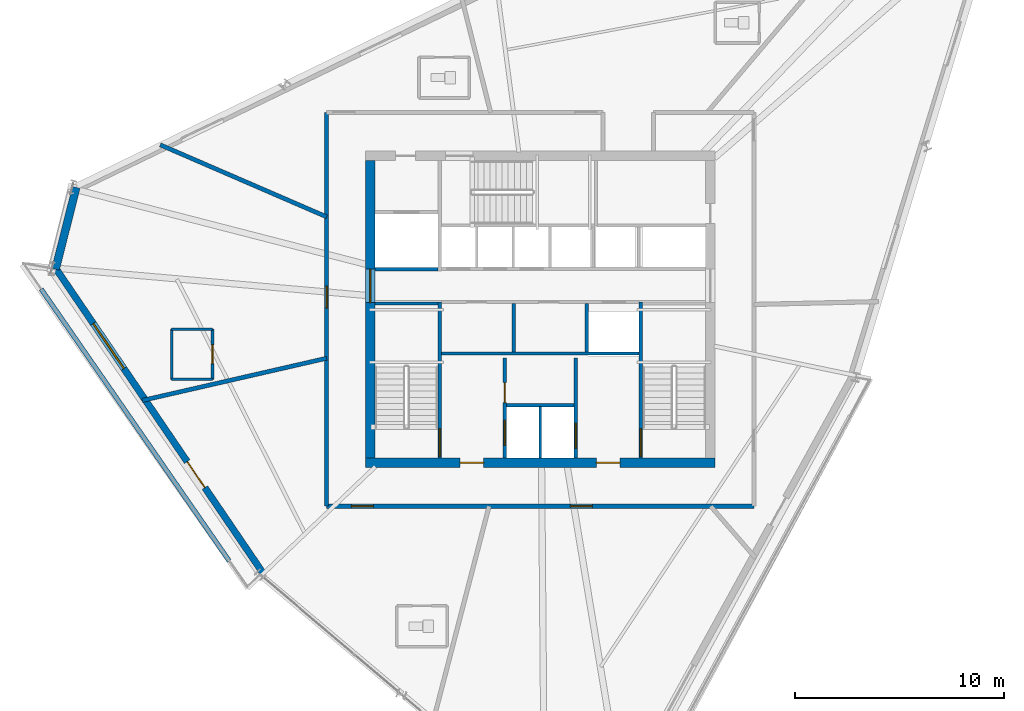
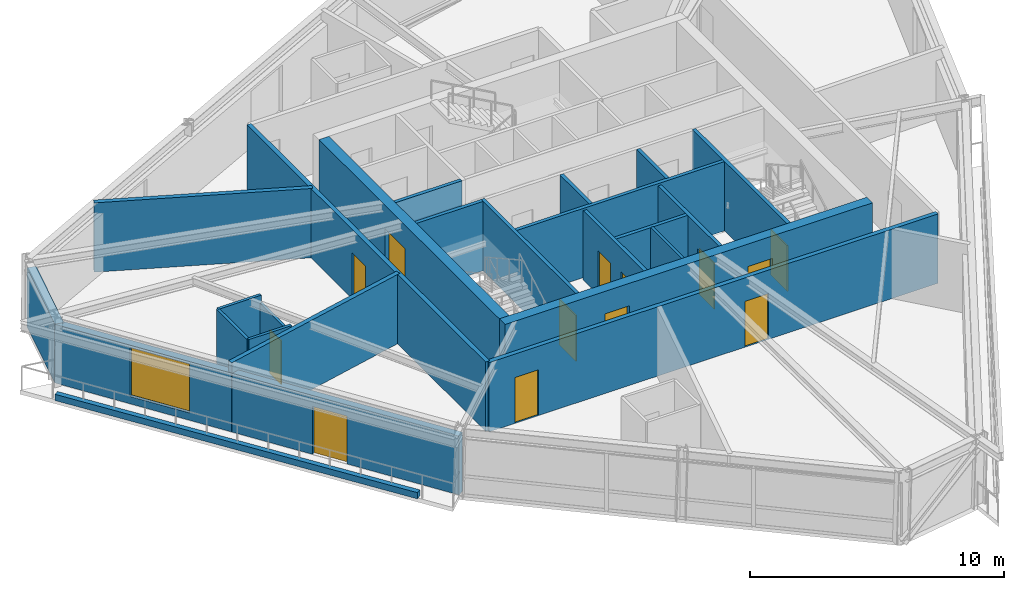
# One storey, part 8 of 15: 24 walls, 13 doors, 1 window, 14 openings.
"""IFC4 building model written with IfcOpenShell, lengths in metres."""

from ifc_helpers import new_model, si_unit, direction, frame, frame_2d, origin, place, context, subcontext, project, spatial, rectangle, extrude, source, transform, mapped, material, layer, layer_set, type_object, type_shapes, element, fill, save


model = new_model("IFC4")

# Units and contexts
model_context = context("Model", 3, precision=1e-05, world=origin(), true_north=direction((0.0, 1.0)))
body_context = subcontext(model_context, "Body", "Model", "MODEL_VIEW")
ifc_project = project(units=[si_unit("LENGTHUNIT", "METRE"), si_unit("AREAUNIT", "SQUARE_METRE"), si_unit("VOLUMEUNIT", "CUBIC_METRE"), si_unit("PLANEANGLEUNIT", "RADIAN"), si_unit("MASSUNIT", "GRAM", prefix="KILO")], contexts=[model_context])

# Site, building, storey
site_placement = place(None, origin())
site = spatial("IfcSite", under=ifc_project, at=site_placement, CompositionType="ELEMENT")
building_placement = place(site_placement, origin())
building = spatial("IfcBuilding", under=site, at=building_placement, Name="Olszyna Solenne Hotel", CompositionType="ELEMENT")
storey_placement = place(building_placement, frame((0.0, 0.0, 213.14990234375)))
storey = spatial("IfcBuildingStorey", under=building, at=storey_placement, Name="L56", CompositionType="ELEMENT", Elevation=213.14990234375)

# Wall, openings, doors
ifc_material_1 = material(Name="Concrete C50/60", Category="concrete")
ifc_layer_1 = layer(ifc_material_1, 0.449951171875, Name="Concrete C50/60")
ifc_layer_set_1 = layer_set([ifc_layer_1], Name="Concrete C50/60")
wall_type_1 = type_object("IfcWallType", Name="WL-CR450", PredefinedType="SHEAR", material=ifc_layer_set_1)
wall_1_placement = place(storey_placement, frame((46.35009765625, 19.27490234375, 0.0), z_axis=(0.0, 0.0, 1.0), x_axis=(-1.0, 0.0, 0.0)))
wall_1 = element("IfcWall", 1, at=wall_1_placement, inside=storey, type_object=wall_type_1, Name="Core shear wall WL-CR450 CRW-L56-S", PredefinedType="SHEAR", context=body_context, shape_type="SweptSolid", body=[
    extrude(rectangle(XDim=16.7001953125, YDim=0.449951171875, at=frame_2d((8.35009765625, 0.0))), origin(), (0.0, 0.0, 1.0), 3.330078125),
])
opening_1_placement = place(wall_1_placement, frame((4.550048828125, 0.0, 0.0)))
opening_1 = element("IfcOpeningElement", 2, at=opening_1_placement, cuts=wall_1, Name="Opening FL-L56-1", PredefinedType="OPENING", context=body_context, shape_type="SweptSolid", body=[
    extrude(rectangle(XDim=1.1201171875, YDim=2.25, at=frame_2d((0.56005859375, 1.125))), frame((0.0, 0.23486328125, 0.0), z_axis=(0.0, -1.0, 0.0), x_axis=(1.0, 0.0, 0.0)), (0.0, 0.0, 1.0), 0.469970703125),
])
opening_2_placement = place(wall_1_placement, frame((11.050048828125, 0.0, 0.0)))
opening_2 = element("IfcOpeningElement", 3, at=opening_2_placement, cuts=wall_1, Name="Opening FL-L56-2", PredefinedType="OPENING", context=body_context, shape_type="SweptSolid", body=[
    extrude(rectangle(XDim=1.1201171875, YDim=2.25, at=frame_2d((0.56005859375, 1.125))), frame((0.0, 0.23486328125, 0.0), z_axis=(0.0, -1.0, 0.0), x_axis=(1.0, 0.0, 0.0)), (0.0, 0.0, 1.0), 0.469970703125),
])
ifc_material_2 = material(Name="Steel S355J2", Category="steel")
door_type_1 = type_object("IfcDoorType", Name="DR-FL1", OperationType="NOTDEFINED", PredefinedType="DOOR", material=ifc_material_2)
shared_shape_1 = source(origin(), body_context, "Body", "SweptSolid", [
    extrude(rectangle(XDim=1.1201171875, YDim=2.25, at=frame_2d((0.56005859375, 1.125))), frame((0.0, 0.02490234375, 0.0), z_axis=(0.0, -1.0, 0.0), x_axis=(1.0, 0.0, 0.0)), (0.0, 0.0, 1.0), 0.050048828125),
])
type_shapes(door_type_1, [shared_shape_1])
door_1_placement = place(opening_1_placement, origin())
door_1 = element("IfcDoor", 4, at=door_1_placement, inside=storey, type_object=door_type_1, Name="Firefighting lift lobby smoke door FL-L56-1", OperationType="SINGLE_SWING_LEFT", OverallHeight=2.25, OverallWidth=1.1201171875, PredefinedType="DOOR", context=body_context, shape_type="MappedRepresentation", body=[
    mapped(shared_shape_1, transform((0.0, 0.0, 0.0), x_axis=(1.0, 0.0, 0.0), y_axis=(0.0, 1.0, 0.0), z_axis=(0.0, 0.0, 1.0), scale=1.0)),
])
fill(opening_1, door_1)
door_2_placement = place(opening_2_placement, origin())
door_2 = element("IfcDoor", 5, at=door_2_placement, inside=storey, type_object=door_type_1, Name="Firefighting lift lobby smoke door FL-L56-2", OperationType="SINGLE_SWING_RIGHT", OverallHeight=2.25, OverallWidth=1.1201171875, PredefinedType="DOOR", context=body_context, shape_type="MappedRepresentation", body=[
    mapped(shared_shape_1, transform((0.0, 0.0, 0.0), x_axis=(1.0, 0.0, 0.0), y_axis=(0.0, 1.0, 0.0), z_axis=(0.0, 0.0, 1.0), scale=1.0)),
])
fill(opening_2, door_2)

# Wall, opening, door
wall_2_placement = place(storey_placement, frame((29.875, 19.5, 0.0), z_axis=(0.0, 0.0, 1.0), x_axis=(0.0, 1.0, 0.0)))
wall_2 = element("IfcWall", 6, at=wall_2_placement, inside=storey, type_object=wall_type_1, Name="Core shear wall WL-CR450 CRW-L56-W", PredefinedType="SHEAR", context=body_context, shape_type="SweptSolid", body=[
    extrude(rectangle(XDim=14.199951171875, YDim=0.449951171875, at=frame_2d((7.10009765625, 0.0))), origin(), (0.0, 0.0, 1.0), 3.330078125),
])
opening_3_placement = place(wall_2_placement, frame((7.419921875, 0.0, 0.0)))
opening_3 = element("IfcOpeningElement", 7, at=opening_3_placement, cuts=wall_2, Name="Opening LHD-L56-W", PredefinedType="OPENING", context=body_context, shape_type="SweptSolid", body=[
    extrude(rectangle(XDim=1.60009765625, YDim=2.199951171875, at=frame_2d((0.800048828125, 1.10009765625))), frame((0.0, 0.23486328125, 0.0), z_axis=(0.0, -1.0, 0.0), x_axis=(1.0, 0.0, 0.0)), (0.0, 0.0, 1.0), 0.469970703125),
])
ifc_material_3 = material(Name="Timber hardwood", Category="wood")
door_type_2 = type_object("IfcDoorType", Name="DR-CR1", OperationType="DOUBLE_DOOR_SINGLE_SWING", PredefinedType="DOOR", material=ifc_material_3)
shared_shape_2 = source(origin(), body_context, "Body", "SweptSolid", [
    extrude(rectangle(XDim=1.60009765625, YDim=2.199951171875, at=frame_2d((0.800048828125, 1.10009765625))), frame((0.0, 0.02490234375, 0.0), z_axis=(0.0, -1.0, 0.0), x_axis=(1.0, 0.0, 0.0)), (0.0, 0.0, 1.0), 0.050048828125),
])
type_shapes(door_type_2, [shared_shape_2])
door_3_placement = place(opening_3_placement, origin())
door_3 = element("IfcDoor", 8, at=door_3_placement, inside=storey, type_object=door_type_2, Name="Passenger lift lobby West fire door LHD-L56-W", OperationType="DOUBLE_DOOR_SINGLE_SWING", OverallHeight=2.199951171875, OverallWidth=1.60009765625, PredefinedType="DOOR", context=body_context, shape_type="MappedRepresentation", body=[
    mapped(shared_shape_2, transform((0.0, 0.0, 0.0), x_axis=(1.0, 0.0, 0.0), y_axis=(0.0, 1.0, 0.0), z_axis=(0.0, 0.0, 1.0), scale=1.0)),
])
fill(opening_3, door_3)

# Wall, openings, door, window
ifc_material_4 = material(Name="Precast concrete C45/55", Category="concrete")
ifc_layer_2 = layer(ifc_material_4, 0.320068359375, Name="Precast concrete C45/55")
ifc_layer_set_2 = layer_set([ifc_layer_2], Name="Precast concrete C45/55")
wall_type_2 = type_object("IfcWallType", Name="WL-EX320", PredefinedType="SOLIDWALL", material=ifc_layer_set_2)
wall_3_placement = place(storey_placement, frame((24.7470703125, 14.029541015625, 0.0), z_axis=(0.0, 0.0, 1.0), x_axis=(-0.562309643667, 0.826926758933, 0.0)))
wall_3 = element("IfcWall", 9, at=wall_3_placement, inside=storey, type_object=wall_type_2, Name="Exterior terracotta-precast frame wall WL-EX320 EW-L56-04", PredefinedType="SOLIDWALL", context=body_context, shape_type="SweptSolid", body=[
    extrude(rectangle(XDim=17.67822265625, YDim=0.320068359375, at=frame_2d((8.839111328125, 0.0))), origin(), (0.0, 0.0, 1.0), 2.822021484375),
])
opening_4_placement = place(wall_3_placement, frame((4.906982421875, 0.0, 0.0)))
opening_4 = element("IfcOpeningElement", 10, at=opening_4_placement, cuts=wall_3, Name="Opening LDG-L56-2", PredefinedType="OPENING", context=body_context, shape_type="SweptSolid", body=[
    extrude(rectangle(XDim=1.5, YDim=2.300048828125, at=frame_2d((0.75, 1.14990234375))), frame((0.0, 0.169921875, 0.0), z_axis=(0.0, -1.0, 0.0), x_axis=(1.0, 0.0, 0.0)), (0.0, 0.0, 1.0), 0.340087890625),
])
opening_5_placement = place(wall_3_placement, frame((11.781982421875, 0.0, 0.35205078125)))
opening_5 = element("IfcOpeningElement", 11, at=opening_5_placement, cuts=wall_3, Name="Opening WN-L56-358", PredefinedType="OPENING", context=body_context, shape_type="SweptSolid", body=[
    extrude(rectangle(XDim=2.60009765625, YDim=2.35009765625, at=frame_2d((1.300048828125, 1.175048828125))), frame((0.0, 0.169921875, 0.0), z_axis=(0.0, -1.0, 0.0), x_axis=(1.0, 0.0, 0.0)), (0.0, 0.0, 1.0), 0.340087890625),
])
ifc_material_5 = material(Name="Anodised bronze aluminium", Category="aluminium")
door_type_3 = type_object("IfcDoorType", Name="DR-LG2", OperationType="DOUBLE_DOOR_SINGLE_SWING", PredefinedType="DOOR", material=ifc_material_5)
shared_shape_3 = source(origin(), body_context, "Body", "SweptSolid", [
    extrude(rectangle(XDim=1.5, YDim=2.300048828125, at=frame_2d((0.75, 1.14990234375))), frame((0.0, 0.02490234375, 0.0), z_axis=(0.0, -1.0, 0.0), x_axis=(1.0, 0.0, 0.0)), (0.0, 0.0, 1.0), 0.050048828125),
])
type_shapes(door_type_3, [shared_shape_3])
door_4_placement = place(opening_4_placement, origin())
door_4 = element("IfcDoor", 12, at=door_4_placement, inside=storey, type_object=door_type_3, Name="Exterior loggia balcony door DR-LG2 LDG-L56-2", OperationType="DOUBLE_DOOR_SINGLE_SWING", OverallHeight=2.300048828125, OverallWidth=1.5, PredefinedType="DOOR", context=body_context, shape_type="MappedRepresentation", body=[
    mapped(shared_shape_3, transform((0.0, 0.0, 0.0), x_axis=(1.0, 0.0, 0.0), y_axis=(0.0, 1.0, 0.0), z_axis=(0.0, 0.0, 1.0), scale=1.0)),
])
fill(opening_4, door_4)
ifc_material_6 = material(Name="Low-E triple glazing", Category="glass")
window_type = type_object("IfcWindowType", Name="WN-ST1", PartitioningType="SINGLE_PANEL", PredefinedType="WINDOW", material=ifc_material_6)
shared_shape_4 = source(origin(), body_context, "Body", "SweptSolid", [
    extrude(rectangle(XDim=2.60009765625, YDim=2.35009765625, at=frame_2d((1.300048828125, 1.175048828125))), frame((0.0, 0.030029296875, 0.0), z_axis=(0.0, -1.0, 0.0), x_axis=(1.0, 0.0, 0.0)), (0.0, 0.0, 1.0), 0.06005859375),
])
type_shapes(window_type, [shared_shape_4])
window_placement = place(opening_5_placement, origin())
window = element("IfcWindow", 13, at=window_placement, inside=storey, type_object=window_type, Name="Loggia room window WN-ST1 WN-L56-358", OverallHeight=2.35009765625, OverallWidth=2.60009765625, PartitioningType="SINGLE_PANEL", PredefinedType="WINDOW", context=body_context, shape_type="MappedRepresentation", body=[
    mapped(shared_shape_4, transform((0.0, 0.0, 0.0), x_axis=(1.0, 0.0, 0.0), y_axis=(0.0, 1.0, 0.0), z_axis=(0.0, 0.0, 1.0), scale=1.0)),
])
fill(opening_5, window)

# Walls
ifc_material_7 = material(Name="Terracotta cladding on precast concrete C45/55", Category="masonry")
ifc_layer_3 = layer(ifc_material_7, 0.3798828125, Name="Terracotta cladding on precast concrete C45/55")
ifc_layer_set_3 = layer_set([ifc_layer_3], Name="Terracotta cladding on precast concrete C45/55")
wall_type_3 = type_object("IfcWallType", Name="WL-EX380", PredefinedType="SOLIDWALL", material=ifc_layer_set_3)
wall_4_placement = place(storey_placement, frame((14.8583984375, 28.511474609375, 0.0), z_axis=(0.0, 0.0, 1.0), x_axis=(0.245228727872, 0.969465250035, 0.0)))
element("IfcWall", 14, at=wall_4_placement, inside=storey, type_object=wall_type_3, Name="Exterior terracotta-precast frame wall WL-EX380 EW-L56-05", PredefinedType="SOLIDWALL", context=body_context, shape_type="SweptSolid", body=[
    extrude(rectangle(XDim=4.030029296875, YDim=0.3798828125, at=frame_2d((2.01513671875, 0.0))), origin(), (0.0, 0.0, 1.0), 2.822021484375),
])
ifc_layer_4 = layer(ifc_material_4, 0.219970703125, Name="Precast concrete C45/55")
ifc_layer_set_4 = layer_set([ifc_layer_4], Name="Precast concrete C45/55")
wall_type_4 = type_object("IfcWallType", Name="WL-PR220", PredefinedType="PARAPET", material=ifc_layer_set_4)
wall_5_placement = place(storey_placement, frame((14.171630859375, 27.5673828125, 0.0), z_axis=(0.0, 0.0, 1.0), x_axis=(0.568898540909, -0.822407715279, 0.0)))
element("IfcWall", 15, at=wall_5_placement, inside=storey, type_object=wall_type_4, Name="Loggia balcony precast kerb PR-L56-LG2", PredefinedType="PARAPET", context=body_context, shape_type="SweptSolid", body=[
    extrude(rectangle(XDim=15.777587890625, YDim=0.219970703125, at=frame_2d((7.888671875, 0.0))), origin(), (0.0, 0.0, 1.0), 0.300048828125),
])
ifc_material_8 = material(Name="Acoustic gypsum partition", Category="gypsum")
ifc_layer_5 = layer(ifc_material_8, 0.125, Name="Acoustic gypsum partition")
ifc_layer_set_5 = layer_set([ifc_layer_5], Name="Acoustic gypsum partition")
wall_type_5 = type_object("IfcWallType", Name="WL-PT125", PredefinedType="PARTITIONING", material=ifc_layer_set_5)
wall_6_placement = place(storey_placement, frame((38.0, 19.5, 0.0), z_axis=(0.0, 0.0, 1.0), x_axis=(0.0, 1.0, 0.0)))
element("IfcWall", 16, at=wall_6_placement, inside=storey, type_object=wall_type_5, Name="Core shaft compartment wall CW-L56-FFM", PredefinedType="PARTITIONING", context=body_context, shape_type="SweptSolid", body=[
    extrude(rectangle(XDim=2.4599609375, YDim=0.125, at=frame_2d((1.22998046875, 0.0))), origin(), (0.0, 0.0, 1.0), 3.330078125),
])

# Wall, opening, door
wall_7_placement = place(storey_placement, frame((22.35302734375, 23.2529296875, 0.0), z_axis=(0.0, 0.0, 1.0), x_axis=(0.0, 1.0, 0.0)))
wall_7 = element("IfcWall", 17, at=wall_7_placement, inside=storey, type_object=wall_type_5, Name="Interior acoustic partition WL-PT125 PW-L56-3133", PredefinedType="PARTITIONING", context=body_context, shape_type="SweptSolid", body=[
    extrude(rectangle(XDim=2.400146484375, YDim=0.125, at=frame_2d((1.2001953125, 0.0))), origin(), (0.0, 0.0, 1.0), 2.955078125),
])
opening_6_placement = place(wall_7_placement, frame((0.75, 0.0, 0.0)))
opening_6 = element("IfcOpeningElement", 18, at=opening_6_placement, cuts=wall_7, Name="Opening DR-L56-0759", PredefinedType="OPENING", context=body_context, shape_type="SweptSolid", body=[
    extrude(rectangle(XDim=0.89990234375, YDim=2.10009765625, at=frame_2d((0.449951171875, 1.050048828125))), frame((0.0, 0.072509765625, 0.0), z_axis=(0.0, -1.0, 0.0), x_axis=(1.0, 0.0, 0.0)), (0.0, 0.0, 1.0), 0.14501953125),
])
door_type_4 = type_object("IfcDoorType", Name="DR-WC1", OperationType="NOTDEFINED", PredefinedType="DOOR", material=ifc_material_3)
shared_shape_5 = source(origin(), body_context, "Body", "SweptSolid", [
    extrude(rectangle(XDim=0.89990234375, YDim=2.10009765625, at=frame_2d((0.449951171875, 1.050048828125))), frame((0.0, 0.02490234375, 0.0), z_axis=(0.0, -1.0, 0.0), x_axis=(1.0, 0.0, 0.0)), (0.0, 0.0, 1.0), 0.050048828125),
])
type_shapes(door_type_4, [shared_shape_5])
door_5_placement = place(opening_6_placement, origin())
door_5 = element("IfcDoor", 19, at=door_5_placement, inside=storey, type_object=door_type_4, Name="En-Suite Bathroom Door DR-L56-0759", OperationType="SINGLE_SWING_LEFT", OverallHeight=2.10009765625, OverallWidth=0.89990234375, PredefinedType="DOOR", context=body_context, shape_type="MappedRepresentation", body=[
    mapped(shared_shape_5, transform((0.0, 0.0, 0.0), x_axis=(1.0, 0.0, 0.0), y_axis=(0.0, 1.0, 0.0), z_axis=(0.0, 0.0, 1.0), scale=1.0)),
])
fill(opening_6, door_5)

# Walls
wall_8_placement = place(storey_placement, frame((22.35302734375, 25.653076171875, 0.0), z_axis=(0.0, 0.0, 1.0), x_axis=(-1.0, 0.0, 0.0)))
element("IfcWall", 20, at=wall_8_placement, inside=storey, type_object=wall_type_5, Name="Interior acoustic partition WL-PT125 PW-L56-3134", PredefinedType="PARTITIONING", context=body_context, shape_type="SweptSolid", body=[
    extrude(rectangle(XDim=1.949951171875, YDim=0.125, at=frame_2d((0.97509765625, 0.0))), origin(), (0.0, 0.0, 1.0), 3.330078125),
])
wall_9_placement = place(storey_placement, frame((20.403076171875, 25.653076171875, 0.0), z_axis=(0.0, 0.0, 1.0), x_axis=(0.0, -1.0, 0.0)))
element("IfcWall", 21, at=wall_9_placement, inside=storey, type_object=wall_type_5, Name="Interior acoustic partition WL-PT125 PW-L56-3135", PredefinedType="PARTITIONING", context=body_context, shape_type="SweptSolid", body=[
    extrude(rectangle(XDim=2.400146484375, YDim=0.125, at=frame_2d((1.2001953125, 0.0))), origin(), (0.0, 0.0, 1.0), 3.330078125),
])
wall_10_placement = place(storey_placement, frame((20.403076171875, 23.2529296875, 0.0), z_axis=(0.0, 0.0, 1.0), x_axis=(1.0, 0.0, 0.0)))
element("IfcWall", 22, at=wall_10_placement, inside=storey, type_object=wall_type_5, Name="Interior acoustic partition WL-PT125 PW-L56-3136", PredefinedType="PARTITIONING", context=body_context, shape_type="SweptSolid", body=[
    extrude(rectangle(XDim=1.949951171875, YDim=0.125, at=frame_2d((0.97509765625, 0.0))), origin(), (0.0, 0.0, 1.0), 3.330078125),
])

# Wall, opening, door
ifc_layer_6 = layer(ifc_material_8, 0.159912109375, Name="Acoustic gypsum partition")
ifc_layer_set_6 = layer_set([ifc_layer_6], Name="Acoustic gypsum partition")
wall_type_6 = type_object("IfcWallType", Name="WL-PT160", PredefinedType="PARTITIONING", material=ifc_layer_set_6)
wall_11_placement = place(storey_placement, frame((33.199951171875, 19.5, 0.0), z_axis=(0.0, 0.0, 1.0), x_axis=(0.0, 1.0, 0.0)))
wall_11 = element("IfcWall", 23, at=wall_11_placement, inside=storey, type_object=wall_type_6, Name="Core shaft compartment wall CW-L56-ST1E", PredefinedType="PARTITIONING", context=body_context, shape_type="SweptSolid", body=[
    extrude(rectangle(XDim=7.4599609375, YDim=0.159912109375, at=frame_2d((3.72998046875, 0.0))), origin(), (0.0, 0.0, 1.0), 3.330078125),
])
opening_7_placement = place(wall_11_placement, frame((0.080078125, 0.0, 0.0)))
opening_7 = element("IfcOpeningElement", 24, at=opening_7_placement, cuts=wall_11, Name="Opening STD-L56-01", PredefinedType="OPENING", context=body_context, shape_type="SweptSolid", body=[
    extrude(rectangle(XDim=1.320068359375, YDim=2.199951171875, at=frame_2d((0.66015625, 1.10009765625))), frame((0.0, 0.08984375, 0.0), z_axis=(0.0, -1.0, 0.0), x_axis=(1.0, 0.0, 0.0)), (0.0, 0.0, 1.0), 0.179931640625),
])
door_type_5 = type_object("IfcDoorType", Name="DR-ST1", OperationType="NOTDEFINED", PredefinedType="DOOR", material=ifc_material_2)
shared_shape_6 = source(origin(), body_context, "Body", "SweptSolid", [
    extrude(rectangle(XDim=1.320068359375, YDim=2.199951171875, at=frame_2d((0.66015625, 1.10009765625))), frame((0.0, 0.02490234375, 0.0), z_axis=(0.0, -1.0, 0.0), x_axis=(1.0, 0.0, 0.0)), (0.0, 0.0, 1.0), 0.050048828125),
])
type_shapes(door_type_5, [shared_shape_6])
door_6_placement = place(opening_7_placement, origin())
door_6 = element("IfcDoor", 25, at=door_6_placement, inside=storey, type_object=door_type_5, Name="Pressurised exit stair ST1 fire door STD-L56-01", OperationType="SINGLE_SWING_LEFT", OverallHeight=2.199951171875, OverallWidth=1.320068359375, PredefinedType="DOOR", context=body_context, shape_type="MappedRepresentation", body=[
    mapped(shared_shape_6, transform((0.0, 0.0, 0.0), x_axis=(1.0, 0.0, 0.0), y_axis=(0.0, 1.0, 0.0), z_axis=(0.0, 0.0, 1.0), scale=1.0)),
])
fill(opening_7, door_6)

# Wall
wall_12_placement = place(storey_placement, frame((30.10009765625, 26.8798828125, 0.0), z_axis=(0.0, 0.0, 1.0), x_axis=(1.0, 0.0, 0.0)))
element("IfcWall", 26, at=wall_12_placement, inside=storey, type_object=wall_type_6, Name="Core shaft compartment wall CW-L56-ST1N", PredefinedType="PARTITIONING", context=body_context, shape_type="SweptSolid", body=[
    extrude(rectangle(XDim=3.02001953125, YDim=0.159912109375, at=frame_2d((1.510009765625, 0.0))), origin(), (0.0, 0.0, 1.0), 3.330078125),
])

# Wall, opening, door
wall_13_placement = place(storey_placement, frame((42.800048828125, 26.9599609375, 0.0), z_axis=(0.0, 0.0, 1.0), x_axis=(0.0, -1.0, 0.0)))
wall_13 = element("IfcWall", 27, at=wall_13_placement, inside=storey, type_object=wall_type_6, Name="Core shaft compartment wall CW-L56-ST2W", PredefinedType="PARTITIONING", context=body_context, shape_type="SweptSolid", body=[
    extrude(rectangle(XDim=7.4599609375, YDim=0.159912109375, at=frame_2d((3.72998046875, 0.0))), origin(), (0.0, 0.0, 1.0), 3.330078125),
])
opening_8_placement = place(wall_13_placement, frame((6.06005859375, 0.0, 0.0)))
opening_8 = element("IfcOpeningElement", 28, at=opening_8_placement, cuts=wall_13, Name="Opening STD-L56-02", PredefinedType="OPENING", context=body_context, shape_type="SweptSolid", body=[
    extrude(rectangle(XDim=1.320068359375, YDim=2.199951171875, at=frame_2d((0.66015625, 1.10009765625))), frame((0.0, 0.08984375, 0.0), z_axis=(0.0, -1.0, 0.0), x_axis=(1.0, 0.0, 0.0)), (0.0, 0.0, 1.0), 0.179931640625),
])
door_7_placement = place(opening_8_placement, origin())
door_7 = element("IfcDoor", 29, at=door_7_placement, inside=storey, type_object=door_type_5, Name="Pressurised exit stair ST2 fire door STD-L56-02", OperationType="SINGLE_SWING_RIGHT", OverallHeight=2.199951171875, OverallWidth=1.320068359375, PredefinedType="DOOR", context=body_context, shape_type="MappedRepresentation", body=[
    mapped(shared_shape_6, transform((0.0, 0.0, 0.0), x_axis=(1.0, 0.0, 0.0), y_axis=(0.0, 1.0, 0.0), z_axis=(0.0, 0.0, 1.0), scale=1.0)),
])
fill(opening_8, door_7)

# Wall, openings, doors
wall_14_placement = place(storey_placement, frame((36.300048828125, 19.5, 0.0), z_axis=(0.0, 0.0, 1.0), x_axis=(0.0, 1.0, 0.0)))
wall_14 = element("IfcWall", 30, at=wall_14_placement, inside=storey, type_object=wall_type_6, Name="Core shaft compartment wall CW-L56-FF1W", PredefinedType="PARTITIONING", context=body_context, shape_type="SweptSolid", body=[
    extrude(rectangle(XDim=4.780029296875, YDim=0.159912109375, at=frame_2d((2.39013671875, 0.0))), origin(), (0.0, 0.0, 1.0), 3.330078125),
])
opening_9_placement = place(wall_14_placement, frame((0.60009765625, 0.0, 0.0)))
opening_9 = element("IfcOpeningElement", 31, at=opening_9_placement, cuts=wall_14, Name="Opening LD-L56-FF1", PredefinedType="OPENING", context=body_context, shape_type="SweptSolid", body=[
    extrude(rectangle(XDim=1.199951171875, YDim=2.199951171875, at=frame_2d((0.60009765625, 1.10009765625))), frame((0.0, 0.08984375, 0.0), z_axis=(0.0, -1.0, 0.0), x_axis=(1.0, 0.0, 0.0)), (0.0, 0.0, 1.0), 0.179931640625),
])
opening_10_placement = place(wall_14_placement, frame((2.64990234375, 0.0, 0.0)))
opening_10 = element("IfcOpeningElement", 32, at=opening_10_placement, cuts=wall_14, Name="Opening SVD-L56-SMK", PredefinedType="OPENING", context=body_context, shape_type="SweptSolid", body=[
    extrude(rectangle(XDim=0.949951171875, YDim=2.10009765625, at=frame_2d((0.47509765625, 1.050048828125))), frame((0.0, 0.08984375, 0.0), z_axis=(0.0, -1.0, 0.0), x_axis=(1.0, 0.0, 0.0)), (0.0, 0.0, 1.0), 0.179931640625),
])
door_type_6 = type_object("IfcDoorType", Name="DR-SV1", OperationType="NOTDEFINED", PredefinedType="DOOR", material=ifc_material_2)
shared_shape_7 = source(origin(), body_context, "Body", "SweptSolid", [
    extrude(rectangle(XDim=0.949951171875, YDim=2.10009765625, at=frame_2d((0.47509765625, 1.050048828125))), frame((0.0, 0.02490234375, 0.0), z_axis=(0.0, -1.0, 0.0), x_axis=(1.0, 0.0, 0.0)), (0.0, 0.0, 1.0), 0.050048828125),
])
type_shapes(door_type_6, [shared_shape_7])
door_8_placement = place(opening_10_placement, origin())
door_8 = element("IfcDoor", 33, at=door_8_placement, inside=storey, type_object=door_type_6, Name="Valet and core service room door SVD-L56-SMK", OperationType="SINGLE_SWING_LEFT", OverallHeight=2.10009765625, OverallWidth=0.949951171875, PredefinedType="DOOR", context=body_context, shape_type="MappedRepresentation", body=[
    mapped(shared_shape_7, transform((0.0, 0.0, 0.0), x_axis=(1.0, 0.0, 0.0), y_axis=(0.0, 1.0, 0.0), z_axis=(0.0, 0.0, 1.0), scale=1.0)),
])
fill(opening_10, door_8)
door_type_7 = type_object("IfcDoorType", Name="LD-FF1", OperationType="DOUBLE_DOOR_SLIDING", PredefinedType="DOOR", material=ifc_material_2)
shared_shape_8 = source(origin(), body_context, "Body", "SweptSolid", [
    extrude(rectangle(XDim=1.199951171875, YDim=2.199951171875, at=frame_2d((0.60009765625, 1.10009765625))), frame((0.0, 0.02490234375, 0.0), z_axis=(0.0, -1.0, 0.0), x_axis=(1.0, 0.0, 0.0)), (0.0, 0.0, 1.0), 0.050048828125),
])
type_shapes(door_type_7, [shared_shape_8])
door_9_placement = place(opening_9_placement, origin())
door_9 = element("IfcDoor", 34, at=door_9_placement, inside=storey, type_object=door_type_7, Name="Firefighters lift FF1 sliding landing door LD-L56-FF1", OperationType="DOUBLE_DOOR_SLIDING", OverallHeight=2.199951171875, OverallWidth=1.199951171875, PredefinedType="DOOR", context=body_context, shape_type="MappedRepresentation", body=[
    mapped(shared_shape_8, transform((0.0, 0.0, 0.0), x_axis=(1.0, 0.0, 0.0), y_axis=(0.0, 1.0, 0.0), z_axis=(0.0, 0.0, 1.0), scale=1.0)),
])
fill(opening_9, door_9)

# Wall, opening, door
wall_15_placement = place(storey_placement, frame((39.699951171875, 24.280029296875, 0.0), z_axis=(0.0, 0.0, 1.0), x_axis=(0.0, -1.0, 0.0)))
wall_15 = element("IfcWall", 35, at=wall_15_placement, inside=storey, type_object=wall_type_6, Name="Core shaft compartment wall CW-L56-FF2E", PredefinedType="PARTITIONING", context=body_context, shape_type="SweptSolid", body=[
    extrude(rectangle(XDim=4.780029296875, YDim=0.159912109375, at=frame_2d((2.39013671875, 0.0))), origin(), (0.0, 0.0, 1.0), 3.330078125),
])
opening_11_placement = place(wall_15_placement, frame((3.1201171875, 0.0, 0.0)))
opening_11 = element("IfcOpeningElement", 36, at=opening_11_placement, cuts=wall_15, Name="Opening LD-L56-FF2", PredefinedType="OPENING", context=body_context, shape_type="SweptSolid", body=[
    extrude(rectangle(XDim=1.199951171875, YDim=2.199951171875, at=frame_2d((0.60009765625, 1.10009765625))), frame((0.0, 0.08984375, 0.0), z_axis=(0.0, -1.0, 0.0), x_axis=(1.0, 0.0, 0.0)), (0.0, 0.0, 1.0), 0.179931640625),
])
door_10_placement = place(opening_11_placement, origin())
door_10 = element("IfcDoor", 37, at=door_10_placement, inside=storey, type_object=door_type_7, Name="Firefighters lift FF2 sliding landing door LD-L56-FF2", OperationType="DOUBLE_DOOR_SLIDING", OverallHeight=2.199951171875, OverallWidth=1.199951171875, PredefinedType="DOOR", context=body_context, shape_type="MappedRepresentation", body=[
    mapped(shared_shape_8, transform((0.0, 0.0, 0.0), x_axis=(1.0, 0.0, 0.0), y_axis=(0.0, 1.0, 0.0), z_axis=(0.0, 0.0, 1.0), scale=1.0)),
])
fill(opening_11, door_10)

# Walls
wall_16_placement = place(storey_placement, frame((36.3798828125, 22.02001953125, 0.0), z_axis=(0.0, 0.0, 1.0), x_axis=(1.0, 0.0, 0.0)))
element("IfcWall", 38, at=wall_16_placement, inside=storey, type_object=wall_type_6, Name="Core shaft compartment wall CW-L56-FFN", PredefinedType="PARTITIONING", context=body_context, shape_type="SweptSolid", body=[
    extrude(rectangle(XDim=3.240234375, YDim=0.159912109375, at=frame_2d((1.6201171875, 0.0))), origin(), (0.0, 0.0, 1.0), 3.330078125),
])
wall_17_placement = place(storey_placement, frame((33.280029296875, 24.489990234375, 0.0), z_axis=(0.0, 0.0, 1.0), x_axis=(1.0, 0.0, 0.0)))
element("IfcWall", 39, at=wall_17_placement, inside=storey, type_object=wall_type_6, Name="Core shaft compartment wall CW-L56-FFBN", PredefinedType="PARTITIONING", context=body_context, shape_type="SweptSolid", body=[
    extrude(rectangle(XDim=9.43994140625, YDim=0.159912109375, at=frame_2d((4.719970703125, 0.0))), origin(), (0.0, 0.0, 1.0), 3.330078125),
])
wall_18_placement = place(storey_placement, frame((30.10009765625, 28.52001953125, 0.0), z_axis=(0.0, 0.0, 1.0), x_axis=(1.0, 0.0, 0.0)))
element("IfcWall", 40, at=wall_18_placement, inside=storey, type_object=wall_type_6, Name="Core shaft compartment wall CW-L56-SV1S", PredefinedType="PARTITIONING", context=body_context, shape_type="SweptSolid", body=[
    extrude(rectangle(XDim=3.02001953125, YDim=0.159912109375, at=frame_2d((1.510009765625, 0.0))), origin(), (0.0, 0.0, 1.0), 3.330078125),
])
for number, where, z_axis, x_axis, name in (
    (41, (36.72998046875, 24.56005859375, 0.0), (0.0, 0.0, 1.0), (0.0, 1.0, 0.0), "Core shaft compartment wall CW-L56-LV7DIV1"),
    (42, (40.215087890625, 24.56005859375, 0.0), (0.0, 0.0, 1.0), (0.0, 1.0, 0.0), "Core shaft compartment wall CW-L56-LV7DIV2"),
):
    element("IfcWall", number, at=place(storey_placement, frame(where, z_axis=z_axis, x_axis=x_axis)), inside=storey, type_object=wall_type_6, Name=name, PredefinedType="PARTITIONING", context=body_context, shape_type="SweptSolid", body=[
        extrude(rectangle(XDim=2.31005859375, YDim=0.159912109375, at=frame_2d((1.155029296875, 0.0))), origin(), (0.0, 0.0, 1.0), 3.330078125),
    ])
ifc_layer_7 = layer(ifc_material_8, 0.199951171875, Name="Acoustic gypsum partition")
ifc_layer_set_7 = layer_set([ifc_layer_7], Name="Acoustic gypsum partition")
wall_type_7 = type_object("IfcWallType", Name="WL-PT200", PredefinedType="PARTITIONING", material=ifc_layer_set_7)
wall_19_placement = place(storey_placement, frame((27.800048828125, 24.263916015625, 0.0), z_axis=(0.0, 0.0, 1.0), x_axis=(-0.974758197895, -0.223263198125, 0.0)))
element("IfcWall", 43, at=wall_19_placement, inside=storey, type_object=wall_type_7, Name="Interior acoustic partition WL-PT200 PW-L56-3114", PredefinedType="PARTITIONING", context=body_context, shape_type="SweptSolid", body=[
    extrude(rectangle(XDim=9.02685546875, YDim=0.199951171875, at=frame_2d((4.513427734375, 0.0))), origin(), (0.0, 0.0, 1.0), 3.330078125),
])
wall_20_placement = place(storey_placement, frame((27.800048828125, 31.014404296875, 0.0), z_axis=(0.0, 0.0, 1.0), x_axis=(-0.917740071977, 0.397181520577, 0.0)))
element("IfcWall", 44, at=wall_20_placement, inside=storey, type_object=wall_type_7, Name="Interior acoustic partition WL-PT200 PW-L56-3120", PredefinedType="PARTITIONING", context=body_context, shape_type="SweptSolid", body=[
    extrude(rectangle(XDim=8.6552734375, YDim=0.199951171875, at=frame_2d((4.32763671875, 0.0))), origin(), (0.0, 0.0, 1.0), 3.330078125),
])

# Wall, openings, doors
wall_21_placement = place(storey_placement, frame((27.800048828125, 17.199951171875, 0.0), z_axis=(0.0, 0.0, 1.0), x_axis=(1.0, 0.0, 0.0)))
wall_21 = element("IfcWall", 45, at=wall_21_placement, inside=storey, type_object=wall_type_7, Name="Interior acoustic partition WL-PT200 PW-L56-3137", PredefinedType="PARTITIONING", context=body_context, shape_type="SweptSolid", body=[
    extrude(rectangle(XDim=20.39990234375, YDim=0.199951171875, at=frame_2d((10.199951171875, 0.0))), origin(), (0.0, 0.0, 1.0), 3.330078125),
])
opening_12_placement = place(wall_21_placement, frame((1.18603515625, 0.0, 0.0)))
opening_12 = element("IfcOpeningElement", 46, at=opening_12_placement, cuts=wall_21, Name="Opening DR-L56-0760", PredefinedType="OPENING", context=body_context, shape_type="SweptSolid", body=[
    extrude(rectangle(XDim=1.050048828125, YDim=2.199951171875, at=frame_2d((0.52490234375, 1.10009765625))), frame((0.0, 0.10986328125, 0.0), z_axis=(0.0, -1.0, 0.0), x_axis=(1.0, 0.0, 0.0)), (0.0, 0.0, 1.0), 0.219970703125),
])
opening_13_placement = place(wall_21_placement, frame((11.634033203125, 0.0, 0.0)))
opening_13 = element("IfcOpeningElement", 47, at=opening_13_placement, cuts=wall_21, Name="Opening DR-L56-0761", PredefinedType="OPENING", context=body_context, shape_type="SweptSolid", body=[
    extrude(rectangle(XDim=1.050048828125, YDim=2.199951171875, at=frame_2d((0.52490234375, 1.10009765625))), frame((0.0, 0.10986328125, 0.0), z_axis=(0.0, -1.0, 0.0), x_axis=(1.0, 0.0, 0.0)), (0.0, 0.0, 1.0), 0.219970703125),
])
door_type_8 = type_object("IfcDoorType", Name="DR-RM2", OperationType="NOTDEFINED", PredefinedType="DOOR", material=ifc_material_3)
shared_shape_9 = source(origin(), body_context, "Body", "SweptSolid", [
    extrude(rectangle(XDim=1.050048828125, YDim=2.199951171875, at=frame_2d((0.52490234375, 1.10009765625))), frame((0.0, 0.02490234375, 0.0), z_axis=(0.0, -1.0, 0.0), x_axis=(1.0, 0.0, 0.0)), (0.0, 0.0, 1.0), 0.050048828125),
])
type_shapes(door_type_8, [shared_shape_9])
door_11_placement = place(opening_12_placement, origin())
door_11 = element("IfcDoor", 48, at=door_11_placement, inside=storey, type_object=door_type_8, Name="Corner Panorama Suite Entrance Door DR-L56-0760", OperationType="SINGLE_SWING_LEFT", OverallHeight=2.199951171875, OverallWidth=1.050048828125, PredefinedType="DOOR", context=body_context, shape_type="MappedRepresentation", body=[
    mapped(shared_shape_9, transform((0.0, 0.0, 0.0), x_axis=(1.0, 0.0, 0.0), y_axis=(0.0, 1.0, 0.0), z_axis=(0.0, 0.0, 1.0), scale=1.0)),
])
fill(opening_12, door_11)
door_12_placement = place(opening_13_placement, origin())
door_12 = element("IfcDoor", 49, at=door_12_placement, inside=storey, type_object=door_type_8, Name="Wellness Spa Studio Entrance Door DR-L56-0761", OperationType="SINGLE_SWING_RIGHT", OverallHeight=2.199951171875, OverallWidth=1.050048828125, PredefinedType="DOOR", context=body_context, shape_type="MappedRepresentation", body=[
    mapped(shared_shape_9, transform((0.0, 0.0, 0.0), x_axis=(1.0, 0.0, 0.0), y_axis=(0.0, 1.0, 0.0), z_axis=(0.0, 0.0, 1.0), scale=1.0)),
])
fill(opening_13, door_12)

# Wall, opening, door
wall_22_placement = place(storey_placement, frame((27.800048828125, 17.199951171875, 0.0), z_axis=(0.0, 0.0, 1.0), x_axis=(0.0, 1.0, 0.0)))
wall_22 = element("IfcWall", 50, at=wall_22_placement, inside=storey, type_object=wall_type_7, Name="Interior acoustic partition WL-PT200 PW-L56-3138", PredefinedType="PARTITIONING", context=body_context, shape_type="SweptSolid", body=[
    extrude(rectangle(XDim=18.800048828125, YDim=0.199951171875, at=frame_2d((9.39990234375, 0.0))), origin(), (0.0, 0.0, 1.0), 3.330078125),
])
opening_14_placement = place(wall_22_placement, frame((9.452880859375, 0.0, 0.0)))
opening_14 = element("IfcOpeningElement", 51, at=opening_14_placement, cuts=wall_22, Name="Opening DR-L56-0762", PredefinedType="OPENING", context=body_context, shape_type="SweptSolid", body=[
    extrude(rectangle(XDim=1.050048828125, YDim=2.199951171875, at=frame_2d((0.52490234375, 1.10009765625))), frame((0.0, 0.10986328125, 0.0), z_axis=(0.0, -1.0, 0.0), x_axis=(1.0, 0.0, 0.0)), (0.0, 0.0, 1.0), 0.219970703125),
])
door_13_placement = place(opening_14_placement, origin())
door_13 = element("IfcDoor", 52, at=door_13_placement, inside=storey, type_object=door_type_8, Name="Executive Reading Salon Entrance Door DR-L56-0762", OperationType="SINGLE_SWING_LEFT", OverallHeight=2.199951171875, OverallWidth=1.050048828125, PredefinedType="DOOR", context=body_context, shape_type="MappedRepresentation", body=[
    mapped(shared_shape_9, transform((0.0, 0.0, 0.0), x_axis=(1.0, 0.0, 0.0), y_axis=(0.0, 1.0, 0.0), z_axis=(0.0, 0.0, 1.0), scale=1.0)),
])
fill(opening_14, door_13)

save(model, "model.ifc")
